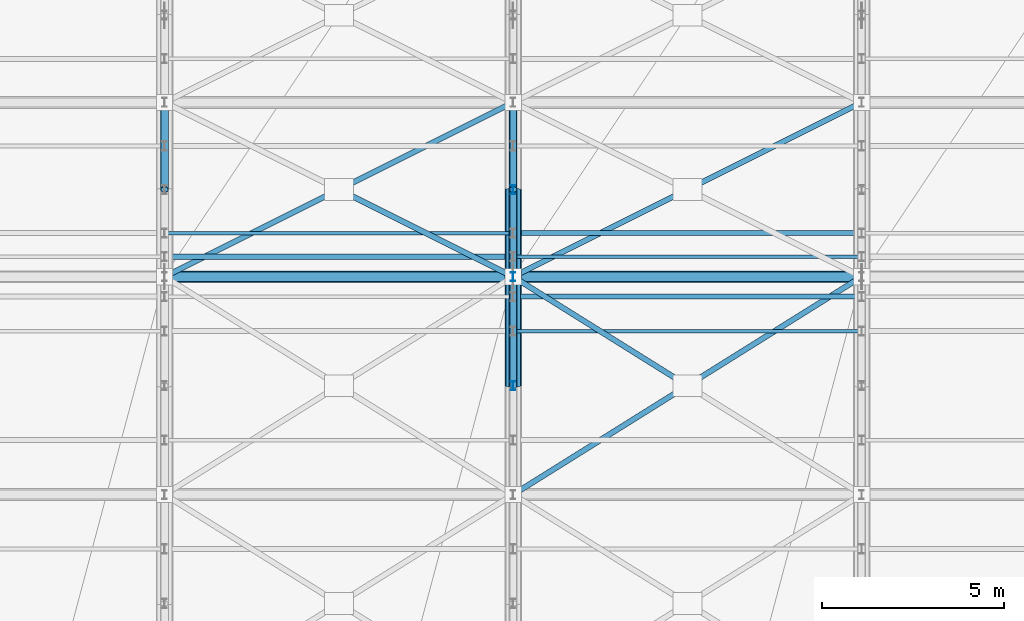
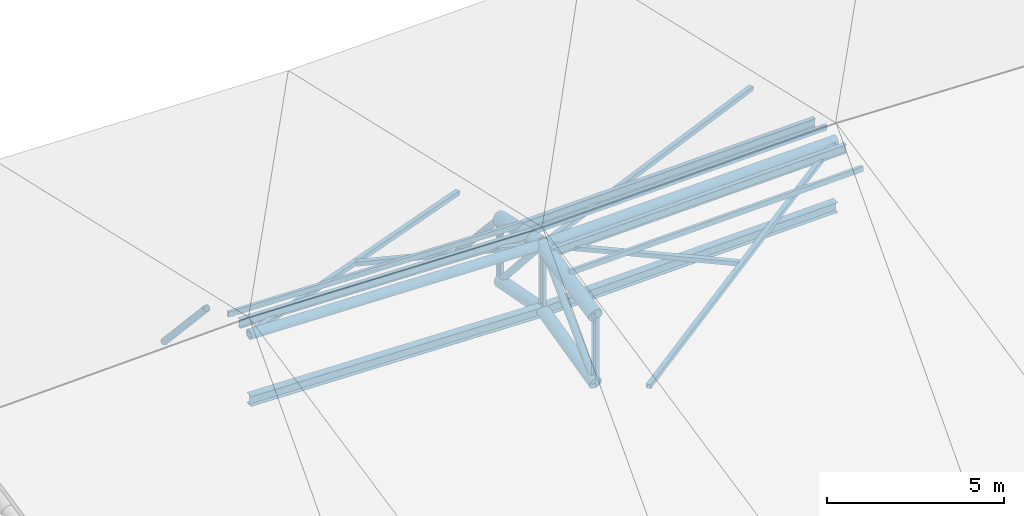
# One storey, part 47 of 109: 22 members, 4 beams.
"""IFC4 building model written with IfcOpenShell, lengths in metres."""

from ifc_helpers import new_model, si_unit, direction, frame, origin, origin_2d, place, context, subcontext, project, spatial, hollow_rectangle, hollow_circle, i_section, extrude, material, material_profile, profile_set, type_object, element, save


model = new_model("IFC4")

# Units and contexts
model_context = context("Model", 3, precision=1e-05, world=origin(), true_north=direction((0.0, 1.0)))
body_context = subcontext(model_context, "Body", "Model", "MODEL_VIEW")
ifc_project = project(units=[si_unit("LENGTHUNIT", "METRE"), si_unit("AREAUNIT", "SQUARE_METRE"), si_unit("VOLUMEUNIT", "CUBIC_METRE"), si_unit("PLANEANGLEUNIT", "RADIAN"), si_unit("MASSUNIT", "GRAM", prefix="KILO")], contexts=[model_context])

# Site, building, storey
site_placement = place(None, origin())
site = spatial("IfcSite", under=ifc_project, at=site_placement, CompositionType="ELEMENT")
building_placement = place(site_placement, origin())
building = spatial("IfcBuilding", under=site, at=building_placement, Name="Suirenkawa Promenade Aquatics Centre", CompositionType="ELEMENT")
storey_placement = place(building_placement, frame((0.0, 0.0, 22.800048828125)))
storey = spatial("IfcBuildingStorey", under=building, at=storey_placement, Name="ROOF", CompositionType="ELEMENT", Elevation=22.800048828125)

# Beams
ifc_material = material(Name="Steel IS 2062 E350 (Grade 350)", Category="steel")
ifc_material_profile_1 = material_profile(ifc_material, hollow_circle(Radius=0.202880859375, WallThickness=0.01806640625, at=origin_2d()), Name="CHS 406x18", Category="steel")
ifc_profile_set_1 = profile_set([ifc_material_profile_1], Name="Steel IS 2062 E350 (Grade 350)")
beam_type_1 = type_object("IfcBeamType", Name="BT-BC-CHS406", PredefinedType="BEAM", material=ifc_profile_set_1)
beam_1_placement = place(storey_placement, frame((175.199951171875, 83.39990234375, -4.408935546875), z_axis=(0.0, 0.972029299784, 0.234859618413), x_axis=(-1.0, 0.0, 0.0)))
element("IfcBeam", 1, at=beam_1_placement, inside=storey, type_object=beam_type_1, Name="ROOF TRUSS V2 bottom chord BC-01 BM-2490", PredefinedType="BEAM", context=body_context, shape_type="SweptSolid", body=[
    extrude(hollow_circle(Radius=0.202880859375, WallThickness=0.01806640625, at=origin_2d()), origin(), (0.0, 0.0, 1.0), 3.08642578125),
])
beam_2_placement = place(storey_placement, frame((175.199951171875, 86.39990234375, -3.68408203125), z_axis=(0.0, 0.982275543956, -0.187442673224), x_axis=(-1.0, 0.0, 0.0)))
element("IfcBeam", 2, at=beam_2_placement, inside=storey, type_object=beam_type_1, Name="ROOF TRUSS V2 bottom chord BC-01 BM-2492", PredefinedType="BEAM", context=body_context, shape_type="SweptSolid", body=[
    extrude(hollow_circle(Radius=0.202880859375, WallThickness=0.01806640625, at=origin_2d()), origin(), (0.0, 0.0, 1.0), 2.443359375),
])
ifc_material_profile_2 = material_profile(ifc_material, hollow_circle(Radius=0.22900390625, WallThickness=0.02001953125, at=origin_2d()), Name="CHS 458x20", Category="steel")
ifc_profile_set_2 = profile_set([ifc_material_profile_2], Name="Steel IS 2062 E350 (Grade 350)")
beam_type_2 = type_object("IfcBeamType", Name="BT-TC-CHS458", PredefinedType="BEAM", material=ifc_profile_set_2)
beam_3_placement = place(storey_placement, frame((175.199951171875, 83.39990234375, -2.06298828125), z_axis=(0.0, 0.978452518953, 0.206471954886), x_axis=(-1.0, 0.0, 0.0)))
element("IfcBeam", 3, at=beam_3_placement, inside=storey, type_object=beam_type_2, Name="ROOF TRUSS V2 top chord TC-01 BM-2489", PredefinedType="BEAM", context=body_context, shape_type="SweptSolid", body=[
    extrude(hollow_circle(Radius=0.22900390625, WallThickness=0.02001953125, at=origin_2d()), origin(), (0.0, 0.0, 1.0), 3.066162109375),
])
beam_4_placement = place(storey_placement, frame((175.199951171875, 86.39990234375, -1.429931640625), z_axis=(0.0, 0.97473096927, -0.223382043919), x_axis=(-1.0, 0.0, 0.0)))
element("IfcBeam", 4, at=beam_4_placement, inside=storey, type_object=beam_type_2, Name="ROOF TRUSS V2 top chord TC-01 BM-2491", PredefinedType="BEAM", context=body_context, shape_type="SweptSolid", body=[
    extrude(hollow_circle(Radius=0.22900390625, WallThickness=0.02001953125, at=origin_2d()), origin(), (0.0, 0.0, 1.0), 2.46240234375),
])

# Members
ifc_material_profile_3 = material_profile(ifc_material, hollow_rectangle(XDim=0.14990234375, YDim=0.14990234375, WallThickness=0.008056640625, at=origin_2d()), Name="SHS 150x150x8", Category="steel")
ifc_profile_set_3 = profile_set([ifc_material_profile_3], Name="Steel IS 2062 E350 (Grade 350)")
member_type_1 = type_object("IfcMemberType", Name="MT-BRACE-SHS150", PredefinedType="BRACE", material=ifc_profile_set_3)
member_1_placement = place(storey_placement, frame((165.60009765625, 86.39990234375, -1.179931640625), z_axis=(0.887429333541, 0.44372595119, -0.124805681811), x_axis=(-0.447222694153, 0.894422641615, 0.0)))
element("IfcMember", 5, at=member_1_placement, inside=storey, type_object=member_type_1, Name="ROOF TRUSS V2 continuous plan brace BF-02 MB-1249", PredefinedType="BRACE", context=body_context, shape_type="SweptSolid", body=[
    extrude(hollow_rectangle(XDim=0.14990234375, YDim=0.14990234375, WallThickness=0.008056640625, at=origin_2d()), origin(), (0.0, 0.0, 1.0), 10.817626953125),
])
member_2_placement = place(storey_placement, frame((175.199951171875, 86.39990234375, -1.429931640625), z_axis=(-0.891626991449, 0.445836536372, -0.078937259618), x_axis=(-0.44723208562, -0.894417945701, 0.0)))
element("IfcMember", 6, at=member_2_placement, inside=storey, type_object=member_type_1, Name="ROOF TRUSS V2 split plan brace A BF-02 MB-1250", PredefinedType="BRACE", context=body_context, shape_type="SweptSolid", body=[
    extrude(hollow_rectangle(XDim=0.14990234375, YDim=0.14990234375, WallThickness=0.008056640625, at=origin_2d()), origin(), (0.0, 0.0, 1.0), 5.298095703125),
])
member_3_placement = place(storey_placement, frame((175.199951171875, 80.39990234375, -2.697021484375), z_axis=(0.840487470735, 0.525299325588, 0.132821045296), x_axis=(-0.529995063044, 0.848000727092, 0.0)))
element("IfcMember", 7, at=member_3_placement, inside=storey, type_object=member_type_1, Name="ROOF TRUSS V2 continuous plan brace BF-02 MB-1267", PredefinedType="BRACE", context=body_context, shape_type="SweptSolid", body=[
    extrude(hollow_rectangle(XDim=0.14990234375, YDim=0.14990234375, WallThickness=0.008056640625, at=origin_2d()), origin(), (0.0, 0.0, 1.0), 11.422119140625),
])
member_4_placement = place(storey_placement, frame((179.927978515625, 83.445068359375, -1.93115234375), z_axis=(-0.844606998423, 0.527846664356, 0.08953723886), x_axis=(-0.529975323389, -0.848013063931, 0.0)))
element("IfcMember", 8, at=member_4_placement, inside=storey, type_object=member_type_1, Name="ROOF TRUSS V2 split plan brace B BF-02 MB-1269", PredefinedType="BRACE", context=body_context, shape_type="SweptSolid", body=[
    extrude(hollow_rectangle(XDim=0.14990234375, YDim=0.14990234375, WallThickness=0.008056640625, at=origin_2d()), origin(), (0.0, 0.0, 1.0), 5.597900390625),
])
member_5_placement = place(storey_placement, frame((175.199951171875, 86.39990234375, -1.429931640625), z_axis=(0.89163494344, 0.44581747172, -0.078955110957), x_axis=(-0.4472135955, 0.894427191, 0.0)))
element("IfcMember", 9, at=member_5_placement, inside=storey, type_object=member_type_1, Name="ROOF TRUSS V2 continuous plan brace BF-02 MB-1270", PredefinedType="BRACE", context=body_context, shape_type="SweptSolid", body=[
    extrude(hollow_rectangle(XDim=0.14990234375, YDim=0.14990234375, WallThickness=0.008056640625, at=origin_2d()), origin(), (0.0, 0.0, 1.0), 10.766845703125),
])
ifc_material_profile_4 = material_profile(ifc_material, hollow_circle(Radius=0.162109375, WallThickness=0.013916015625, at=origin_2d()), Name="CHS 324x14", Category="steel")
ifc_profile_set_4 = profile_set([ifc_material_profile_4], Name="Steel IS 2062 E350 (Grade 350)")
member_type_2 = type_object("IfcMemberType", Name="MT-CHORD-CHS324", PredefinedType="CHORD", material=ifc_profile_set_4)
member_6_placement = place(storey_placement, frame((165.60009765625, 86.39990234375, -1.179931640625), z_axis=(0.999661077831, 0.0, -0.026033237804), x_axis=(0.0, 1.0, 0.0)))
element("IfcMember", 10, at=member_6_placement, inside=storey, type_object=member_type_2, Name="ROOF TRUSS V2 tie chord CH-01 MB-1212", PredefinedType="CHORD", context=body_context, shape_type="SweptSolid", body=[
    extrude(hollow_circle(Radius=0.162109375, WallThickness=0.013916015625, at=origin_2d()), origin(), (0.0, 0.0, 1.0), 9.60302734375),
])
member_7_placement = place(storey_placement, frame((175.199951171875, 86.39990234375, -1.429931640625), z_axis=(0.99966109506, 0.0, 0.0260325762), x_axis=(0.0, 1.0, 0.0)))
element("IfcMember", 11, at=member_7_placement, inside=storey, type_object=member_type_2, Name="ROOF TRUSS V2 tie chord CH-01 MB-1214", PredefinedType="CHORD", context=body_context, shape_type="SweptSolid", body=[
    extrude(hollow_circle(Radius=0.162109375, WallThickness=0.013916015625, at=origin_2d()), origin(), (0.0, 0.0, 1.0), 9.603271484375),
])
ifc_material_profile_5 = material_profile(ifc_material, i_section(OverallWidth=0.25, OverallDepth=0.35009765625, WebThickness=0.010009765625, FlangeThickness=0.011962890625, at=origin_2d()), Name="ISHB 350", Category="steel")
ifc_profile_set_5 = profile_set([ifc_material_profile_5], Name="Steel IS 2062 E350 (Grade 350)")
member_type_3 = type_object("IfcMemberType", Name="MT-CHORD-ISHB350", PredefinedType="CHORD", material=ifc_profile_set_5)
member_8_placement = place(storey_placement, frame((165.60009765625, 86.39990234375, -3.43408203125), z_axis=(0.999661077831, 0.0, -0.026033237804), x_axis=(0.0, 1.0, 0.0)))
element("IfcMember", 12, at=member_8_placement, inside=storey, type_object=member_type_3, Name="ROOF TRUSS V2 bottom tie CH-04 MB-1213", PredefinedType="CHORD", context=body_context, shape_type="SweptSolid", body=[
    extrude(i_section(OverallWidth=0.25, OverallDepth=0.35009765625, WebThickness=0.010009765625, FlangeThickness=0.011962890625, at=origin_2d()), origin(), (0.0, 0.0, 1.0), 9.60302734375),
])
member_9_placement = place(storey_placement, frame((175.199951171875, 86.39990234375, -3.68408203125), z_axis=(0.99966109506, 0.0, 0.0260325762), x_axis=(0.0, 1.0, 0.0)))
element("IfcMember", 13, at=member_9_placement, inside=storey, type_object=member_type_3, Name="ROOF TRUSS V2 bottom tie CH-04 MB-1215", PredefinedType="CHORD", context=body_context, shape_type="SweptSolid", body=[
    extrude(i_section(OverallWidth=0.25, OverallDepth=0.35009765625, WebThickness=0.010009765625, FlangeThickness=0.011962890625, at=origin_2d()), origin(), (0.0, 0.0, 1.0), 9.603271484375),
])
ifc_material_profile_6 = material_profile(ifc_material, i_section(OverallWidth=0.139892578125, OverallDepth=0.300048828125, WebThickness=0.008056640625, FlangeThickness=0.012939453125, at=origin_2d()), Name="ISMB 300", Category="steel")
ifc_profile_set_6 = profile_set([ifc_material_profile_6], Name="Steel IS 2062 E350 (Grade 350)")
member_type_4 = type_object("IfcMemberType", Name="MT-PURLIN-ISMB300", PredefinedType="PURLIN", material=ifc_profile_set_6)
member_10_placement = place(storey_placement, frame((165.60009765625, 86.949951171875, -1.1220703125), z_axis=(0.999661077831, 0.0, -0.026033237804), x_axis=(0.0, 1.0, 0.0)))
element("IfcMember", 14, at=member_10_placement, inside=storey, type_object=member_type_4, Name="ROOF TRUSS Roof purlin PU-05 MB-2501", PredefinedType="PURLIN", context=body_context, shape_type="SweptSolid", body=[
    extrude(i_section(OverallWidth=0.139892578125, OverallDepth=0.300048828125, WebThickness=0.008056640625, FlangeThickness=0.012939453125, at=origin_2d()), origin(), (0.0, 0.0, 1.0), 9.60302734375),
])
for number, where, z_axis, x_axis, name in (
    (15, (175.199951171875, 85.85009765625, -1.360107421875), (0.99966109506, 0.0, 0.0260325762), (0.0, 1.0, 0.0), "ROOF TRUSS Roof purlin PU-05 MB-2543"),
    (16, (175.199951171875, 87.60009765625, -1.52099609375), (0.99966109506, 0.0, 0.0260325762), (0.0, 1.0, 0.0), "ROOF TRUSS Roof purlin PU-05 MB-2547"),
):
    element("IfcMember", number, at=place(storey_placement, frame(where, z_axis=z_axis, x_axis=x_axis)), inside=storey, type_object=member_type_4, Name=name, PredefinedType="PURLIN", context=body_context, shape_type="SweptSolid", body=[
        extrude(i_section(OverallWidth=0.139892578125, OverallDepth=0.300048828125, WebThickness=0.008056640625, FlangeThickness=0.012939453125, at=origin_2d()), origin(), (0.0, 0.0, 1.0), 9.603271484375),
    ])
ifc_material_profile_7 = material_profile(ifc_material, hollow_rectangle(XDim=0.10009765625, YDim=0.179931640625, WallThickness=0.008056640625, at=origin_2d()), Name="RHS 180x100x8", Category="steel")
ifc_profile_set_7 = profile_set([ifc_material_profile_7], Name="Steel IS 2062 E350 (Grade 350)")
member_type_5 = type_object("IfcMemberType", Name="MT-PURLIN-RHS180", PredefinedType="PURLIN", material=ifc_profile_set_7)
member_11_placement = place(storey_placement, frame((165.60009765625, 87.60009765625, -1.2060546875), z_axis=(0.999661077831, 0.0, -0.026033237804), x_axis=(0.0, 1.0, 0.0)))
element("IfcMember", 17, at=member_11_placement, inside=storey, type_object=member_type_5, Name="ROOF TRUSS Roof purlin PU-01 MB-2503", PredefinedType="PURLIN", context=body_context, shape_type="SweptSolid", body=[
    extrude(hollow_rectangle(XDim=0.10009765625, YDim=0.179931640625, WallThickness=0.008056640625, at=origin_2d()), origin(), (0.0, 0.0, 1.0), 9.60302734375),
])
for number, where, z_axis, x_axis, name in (
    (18, (175.199951171875, 84.89990234375, -1.49609375), (0.99966109506, 0.0, 0.0260325762), (0.0, 1.0, 0.0), "ROOF TRUSS Roof purlin PU-01 MB-2541"),
    (19, (175.199951171875, 86.949951171875, -1.30712890625), (0.99966109506, 0.0, 0.0260325762), (0.0, 1.0, 0.0), "ROOF TRUSS Roof purlin PU-01 MB-2545"),
):
    element("IfcMember", number, at=place(storey_placement, frame(where, z_axis=z_axis, x_axis=x_axis)), inside=storey, type_object=member_type_5, Name=name, PredefinedType="PURLIN", context=body_context, shape_type="SweptSolid", body=[
        extrude(hollow_rectangle(XDim=0.10009765625, YDim=0.179931640625, WallThickness=0.008056640625, at=origin_2d()), origin(), (0.0, 0.0, 1.0), 9.603271484375),
    ])
ifc_material_profile_8 = material_profile(ifc_material, i_section(OverallWidth=0.125, OverallDepth=0.25, WebThickness=0.007080078125, FlangeThickness=0.012939453125, at=origin_2d()), Name="ISMB 250", Category="steel")
ifc_profile_set_8 = profile_set([ifc_material_profile_8], Name="Steel IS 2062 E350 (Grade 350)")
member_type_6 = type_object("IfcMemberType", Name="MT-WEB-CHS168", PredefinedType="BRACE", material=ifc_profile_set_8)
member_12_placement = place(storey_placement, frame((175.199951171875, 83.39990234375, -4.408935546875), z_axis=(0.0, 0.0, 1.0), x_axis=(1.0, 0.0, 0.0)))
element("IfcMember", 20, at=member_12_placement, inside=storey, type_object=member_type_6, Name="ROOF TRUSS V2 web post TD-03 MB-1069", PredefinedType="BRACE", context=body_context, shape_type="SweptSolid", body=[
    extrude(i_section(OverallWidth=0.125, OverallDepth=0.25, WebThickness=0.007080078125, FlangeThickness=0.012939453125, at=origin_2d()), origin(), (0.0, 0.0, 1.0), 2.345947265625),
])
member_13_placement = place(storey_placement, frame((175.199951171875, 86.39990234375, -3.68408203125), z_axis=(0.0, 0.0, 1.0), x_axis=(1.0, 0.0, 0.0)))
element("IfcMember", 21, at=member_13_placement, inside=storey, type_object=member_type_6, Name="ROOF TRUSS V2 web post TD-03 MB-1070", PredefinedType="BRACE", context=body_context, shape_type="SweptSolid", body=[
    extrude(i_section(OverallWidth=0.125, OverallDepth=0.25, WebThickness=0.007080078125, FlangeThickness=0.012939453125, at=origin_2d()), origin(), (0.0, 0.0, 1.0), 2.254150390625),
])
member_14_placement = place(storey_placement, frame((175.199951171875, 88.800048828125, -4.14208984375), z_axis=(0.0, 0.0, 1.0), x_axis=(1.0, 0.0, 0.0)))
element("IfcMember", 22, at=member_14_placement, inside=storey, type_object=member_type_6, Name="ROOF TRUSS V2 web post TD-03 MB-1071", PredefinedType="BRACE", context=body_context, shape_type="SweptSolid", body=[
    extrude(i_section(OverallWidth=0.125, OverallDepth=0.25, WebThickness=0.007080078125, FlangeThickness=0.012939453125, at=origin_2d()), origin(), (0.0, 0.0, 1.0), 2.162109375),
])
ifc_material_profile_9 = material_profile(ifc_material, hollow_circle(Radius=0.110107421875, WallThickness=0.010009765625, at=origin_2d()), Name="CHS 220x10", Category="steel")
ifc_profile_set_9 = profile_set([ifc_material_profile_9], Name="Steel IS 2062 E350 (Grade 350)")
member_type_7 = type_object("IfcMemberType", Name="MT-WEB-CHS220", PredefinedType="BRACE", material=ifc_profile_set_9)
member_15_placement = place(storey_placement, frame((165.60009765625, 88.800048828125, -1.72998046875), z_axis=(0.0, 0.677255017179, -0.735748354878), x_axis=(-1.0, 0.0, 0.0)))
element("IfcMember", 23, at=member_15_placement, inside=storey, type_object=member_type_7, Name="ROOF TRUSS V2 web diagonal TD-01 MB-1019", PredefinedType="BRACE", context=body_context, shape_type="SweptSolid", body=[
    extrude(hollow_circle(Radius=0.110107421875, WallThickness=0.010009765625, at=origin_2d()), origin(), (0.0, 0.0, 1.0), 3.54345703125),
])
member_16_placement = place(storey_placement, frame((175.199951171875, 83.39990234375, -4.408935546875), z_axis=(0.0, 0.709585508659, 0.704619334038), x_axis=(-1.0, 0.0, 0.0)))
element("IfcMember", 24, at=member_16_placement, inside=storey, type_object=member_type_7, Name="ROOF TRUSS V2 web diagonal TD-01 MB-1052", PredefinedType="BRACE", context=body_context, shape_type="SweptSolid", body=[
    extrude(hollow_circle(Radius=0.110107421875, WallThickness=0.010009765625, at=origin_2d()), origin(), (0.0, 0.0, 1.0), 4.227783203125),
])
member_17_placement = place(storey_placement, frame((175.199951171875, 86.39990234375, -1.429931640625), z_axis=(0.0, 0.662717866638, -0.74886916697), x_axis=(-1.0, 0.0, 0.0)))
element("IfcMember", 25, at=member_17_placement, inside=storey, type_object=member_type_7, Name="ROOF TRUSS V2 web diagonal TD-01 MB-1053", PredefinedType="BRACE", context=body_context, shape_type="SweptSolid", body=[
    extrude(hollow_circle(Radius=0.110107421875, WallThickness=0.010009765625, at=origin_2d()), origin(), (0.0, 0.0, 1.0), 3.62158203125),
])
member_18_placement = place(storey_placement, frame((175.199951171875, 88.800048828125, -1.97998046875), z_axis=(0.0, 0.677255017179, -0.735748354878), x_axis=(-1.0, 0.0, 0.0)))
element("IfcMember", 26, at=member_18_placement, inside=storey, type_object=member_type_7, Name="ROOF TRUSS V2 web diagonal TD-01 MB-1054", PredefinedType="BRACE", context=body_context, shape_type="SweptSolid", body=[
    extrude(hollow_circle(Radius=0.110107421875, WallThickness=0.010009765625, at=origin_2d()), origin(), (0.0, 0.0, 1.0), 3.54345703125),
])

save(model, "model.ifc")
